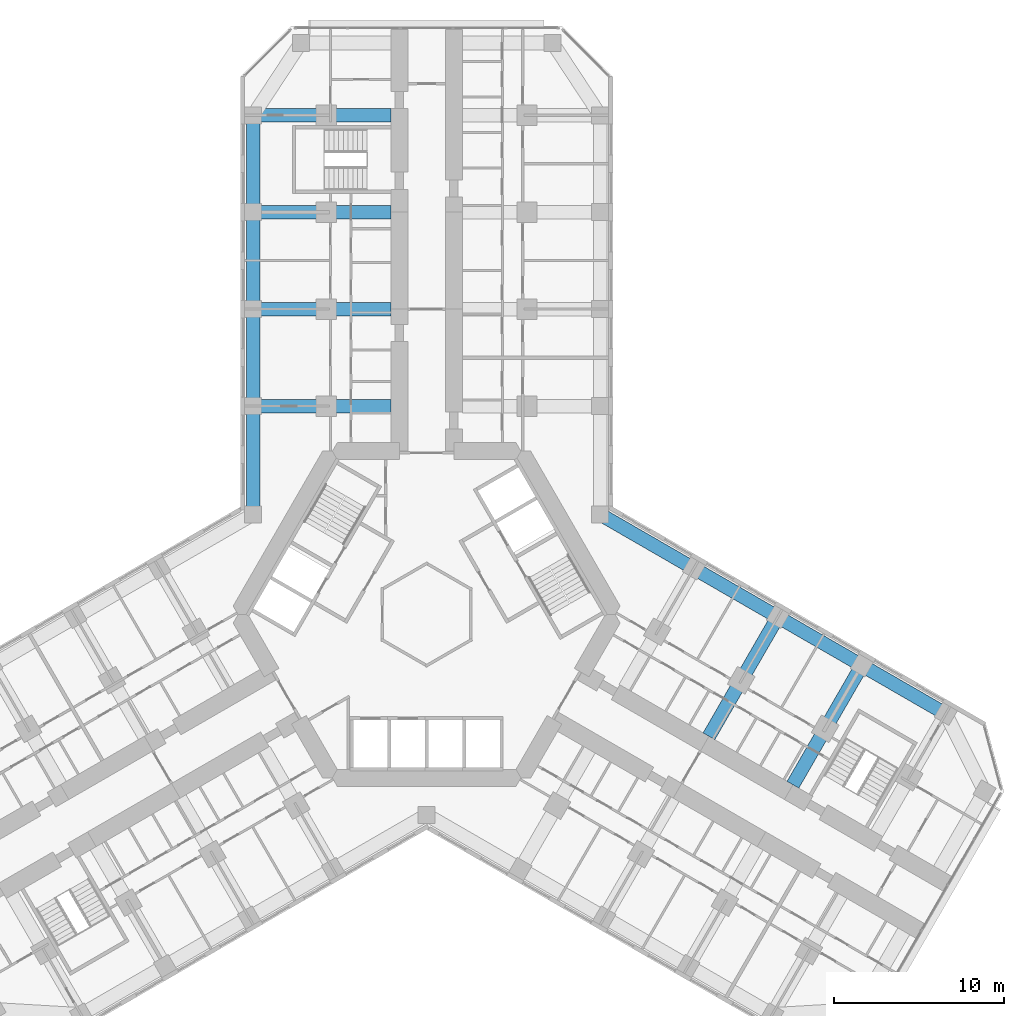
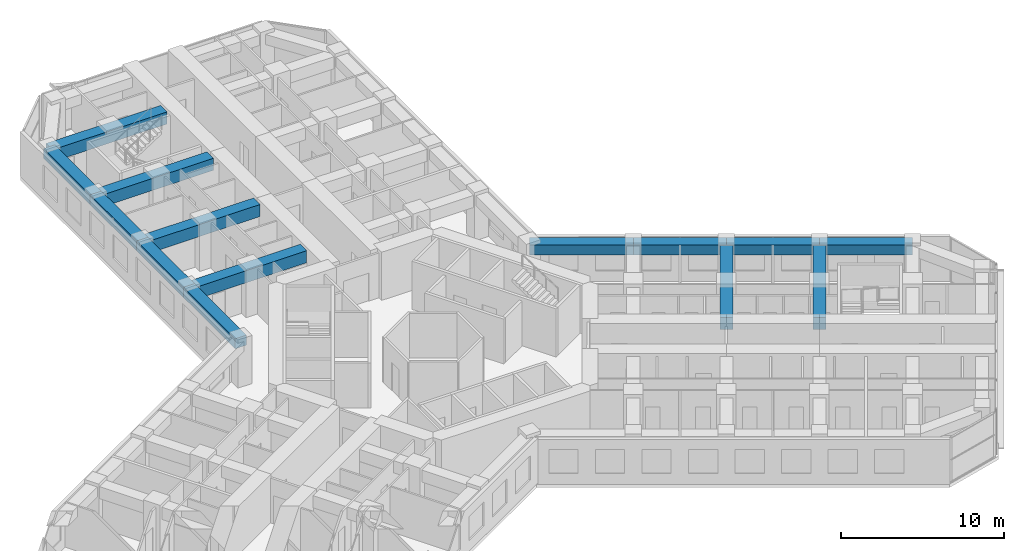
# One storey, part 6 of 21: 14 beams.
"""IFC4 building model written with IfcOpenShell, lengths in metres."""

from ifc_helpers import new_model, si_unit, direction, frame, origin, origin_2d, place, context, subcontext, project, spatial, rectangle, extrude, material, material_profile, profile_set, type_object, element, save


model = new_model("IFC4")

# Units and contexts
model_context = context("Model", 3, precision=1e-05, world=origin(), true_north=direction((0.0, 1.0)))
body_context = subcontext(model_context, "Body", "Model", "MODEL_VIEW")
ifc_project = project(units=[si_unit("LENGTHUNIT", "METRE"), si_unit("AREAUNIT", "SQUARE_METRE"), si_unit("VOLUMEUNIT", "CUBIC_METRE"), si_unit("PLANEANGLEUNIT", "RADIAN"), si_unit("MASSUNIT", "GRAM", prefix="KILO")], contexts=[model_context])

# Site, building, storey
site_placement = place(None, origin())
site = spatial("IfcSite", under=ifc_project, at=site_placement, CompositionType="ELEMENT")
building_placement = place(site_placement, origin())
building = spatial("IfcBuilding", under=site, at=building_placement, Name="Kosmar Iwan School Tower", CompositionType="ELEMENT")
storey_placement = place(building_placement, frame((0.0, 0.0, 61.0)))
storey = spatial("IfcBuildingStorey", under=building, at=storey_placement, Name="L14", CompositionType="ELEMENT", Elevation=61.0)

# Beams
ifc_material_1 = material(Name="Concrete C50/60", Category="concrete")
ifc_material_profile_1 = material_profile(ifc_material_1, rectangle(XDim=0.800048828125, YDim=0.75, at=origin_2d()), Name="RC 800x750")
ifc_profile_set_1 = profile_set([ifc_material_profile_1], Name="Concrete C50/60")
beam_type_1 = type_object("IfcBeamType", Name="RC edge beam 800x750", PredefinedType="BEAM", material=ifc_profile_set_1)
beam_1_placement = place(storey_placement, frame((-10.199951171875, 5.888916015625, 2.97509765625), z_axis=(0.0, 1.0, 0.0), x_axis=(-1.0, 0.0, 0.0)))
element("IfcBeam", 1, at=beam_1_placement, inside=storey, type_object=beam_type_1, Name="Edge beam AL1", PredefinedType="BEAM", context=body_context, shape_type="SweptSolid", body=[
    extrude(rectangle(XDim=0.800048828125, YDim=0.75, at=origin_2d()), origin(), (0.0, 0.0, 1.0), 6.361083984375),
])
for number, where, z_axis, x_axis, name in (
    (2, (-10.199951171875, 12.25, 2.97509765625), (0.0, 1.0, 0.0), (-1.0, 0.0, 0.0), "Edge beam AL2"),
    (3, (-10.199951171875, 17.949951171875, 2.97509765625), (0.0, 1.0, 0.0), (-1.0, 0.0, 0.0), "Edge beam AL3"),
):
    element("IfcBeam", number, at=place(storey_placement, frame(where, z_axis=z_axis, x_axis=x_axis)), inside=storey, type_object=beam_type_1, Name=name, PredefinedType="BEAM", context=body_context, shape_type="SweptSolid", body=[
        extrude(rectangle(XDim=0.800048828125, YDim=0.75, at=origin_2d()), origin(), (0.0, 0.0, 1.0), 5.699951171875),
    ])
beam_2_placement = place(storey_placement, frame((-10.199951171875, 23.64990234375, 2.97509765625), z_axis=(0.0, 1.0, 0.0), x_axis=(-1.0, 0.0, 0.0)))
element("IfcBeam", 4, at=beam_2_placement, inside=storey, type_object=beam_type_1, Name="Edge beam AL4", PredefinedType="BEAM", context=body_context, shape_type="SweptSolid", body=[
    extrude(rectangle(XDim=0.800048828125, YDim=0.75, at=origin_2d()), origin(), (0.0, 0.0, 1.0), 5.7001953125),
])
beam_3_placement = place(storey_placement, frame((10.199951171875, 5.888916015625, 2.97509765625), z_axis=(0.866030912664, -0.49999045822, 0.0), x_axis=(0.49999045822, 0.866030912664, 0.0)))
element("IfcBeam", 5, at=beam_3_placement, inside=storey, type_object=beam_type_1, Name="Edge beam CL1", PredefinedType="BEAM", context=body_context, shape_type="SweptSolid", body=[
    extrude(rectangle(XDim=0.800048828125, YDim=0.75, at=origin_2d()), origin(), (0.0, 0.0, 1.0), 6.36083984375),
])
beam_4_placement = place(storey_placement, frame((15.708740234375, 2.70849609375, 2.97509765625), z_axis=(0.866025820012, -0.499999279071, 0.0), x_axis=(0.499999279071, 0.866025820012, 0.0)))
element("IfcBeam", 6, at=beam_4_placement, inside=storey, type_object=beam_type_1, Name="Edge beam CL2", PredefinedType="BEAM", context=body_context, shape_type="SweptSolid", body=[
    extrude(rectangle(XDim=0.800048828125, YDim=0.75, at=origin_2d()), origin(), (0.0, 0.0, 1.0), 5.7001953125),
])
for number, where, z_axis, x_axis, name in (
    (7, (20.645263671875, -0.1416015625, 2.97509765625), (0.866033658841, -0.49998570155, 0.0), (0.49998570155, 0.866033658841, 0.0), "Edge beam CL3"),
    (8, (25.58154296875, -2.991455078125, 2.97509765625), (0.866015111908, -0.50001782563, 0.0), (0.50001782563, 0.866015111908, 0.0), "Edge beam CL4"),
):
    element("IfcBeam", number, at=place(storey_placement, frame(where, z_axis=z_axis, x_axis=x_axis)), inside=storey, type_object=beam_type_1, Name=name, PredefinedType="BEAM", context=body_context, shape_type="SweptSolid", body=[
        extrude(rectangle(XDim=0.800048828125, YDim=0.75, at=origin_2d()), origin(), (0.0, 0.0, 1.0), 5.699951171875),
    ])
ifc_material_2 = material(Name="Concrete C50/60", Category="concrete")
ifc_material_profile_2 = material_profile(ifc_material_2, rectangle(XDim=0.800048828125, YDim=0.89990234375, at=origin_2d()), Name="RC 800x900")
ifc_profile_set_2 = profile_set([ifc_material_profile_2], Name="Concrete C50/60")
beam_type_2 = type_object("IfcBeamType", Name="RC transverse beam 800x900", PredefinedType="BEAM", material=ifc_profile_set_2)
for number, where, z_axis, x_axis, name in (
    (9, (-10.199951171875, 12.25, 2.89990234375), (1.0, 0.0, 0.0), (0.0, 1.0, 0.0), "Transverse beam AL1"),
    (10, (-10.199951171875, 17.949951171875, 2.89990234375), (1.0, 0.0, 0.0), (0.0, 1.0, 0.0), "Transverse beam AL2"),
    (11, (-10.199951171875, 23.64990234375, 2.89990234375), (1.0, 0.0, 0.0), (0.0, 1.0, 0.0), "Transverse beam AL3"),
    (12, (-10.199951171875, 29.35009765625, 2.89990234375), (1.0, 0.0, 0.0), (0.0, 1.0, 0.0), "Transverse beam AL4"),
    (13, (20.645263671875, -0.1416015625, 2.89990234375), (-0.500012932018, -0.866017937352, 0.0), (0.866017937352, -0.500012932018, 0.0), "Transverse beam CL2"),
):
    element("IfcBeam", number, at=place(storey_placement, frame(where, z_axis=z_axis, x_axis=x_axis)), inside=storey, type_object=beam_type_2, Name=name, PredefinedType="BEAM", context=body_context, shape_type="SweptSolid", body=[
        extrude(rectangle(XDim=0.800048828125, YDim=0.89990234375, at=origin_2d()), origin(), (0.0, 0.0, 1.0), 8.099853515625),
    ])
beam_5_placement = place(storey_placement, frame((25.58154296875, -2.991455078125, 2.89990234375), z_axis=(-0.499999880539, -0.866025472755, 0.0), x_axis=(0.866025472755, -0.499999880539, 0.0)))
element("IfcBeam", 14, at=beam_5_placement, inside=storey, type_object=beam_type_2, Name="Transverse beam CL3", PredefinedType="BEAM", context=body_context, shape_type="SweptSolid", body=[
    extrude(rectangle(XDim=0.800048828125, YDim=0.89990234375, at=origin_2d()), origin(), (0.0, 0.0, 1.0), 8.10009765625),
])

save(model, "model.ifc")
